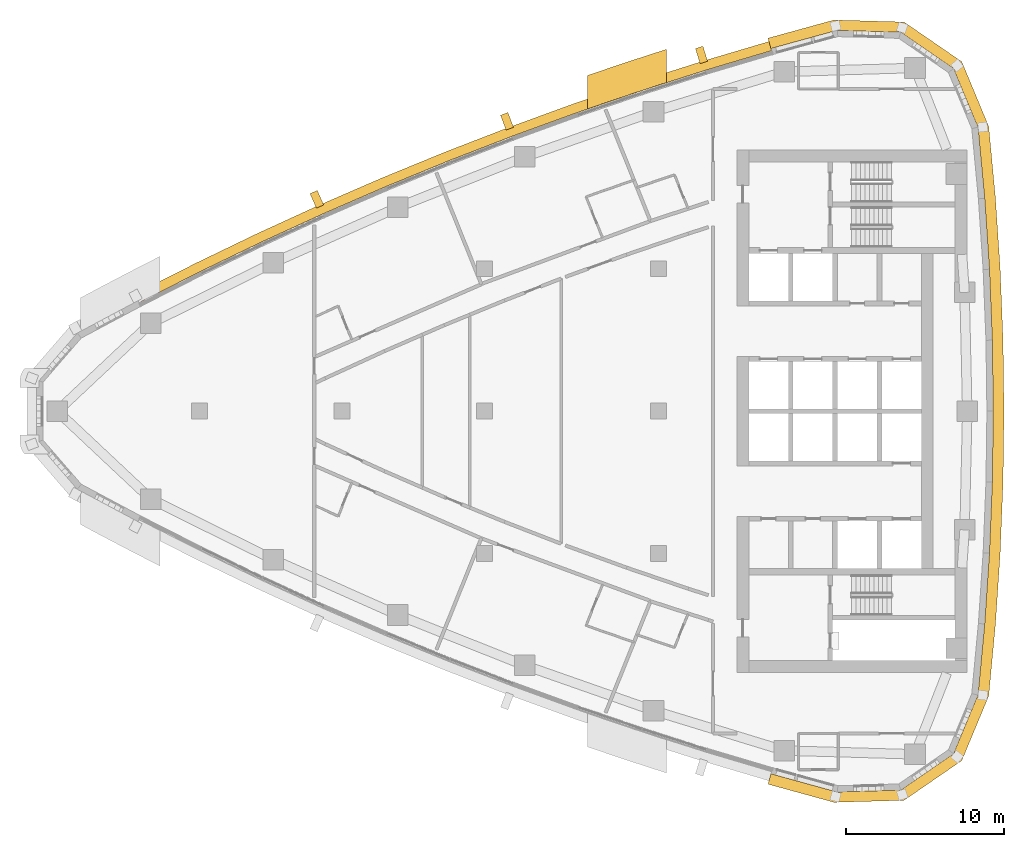
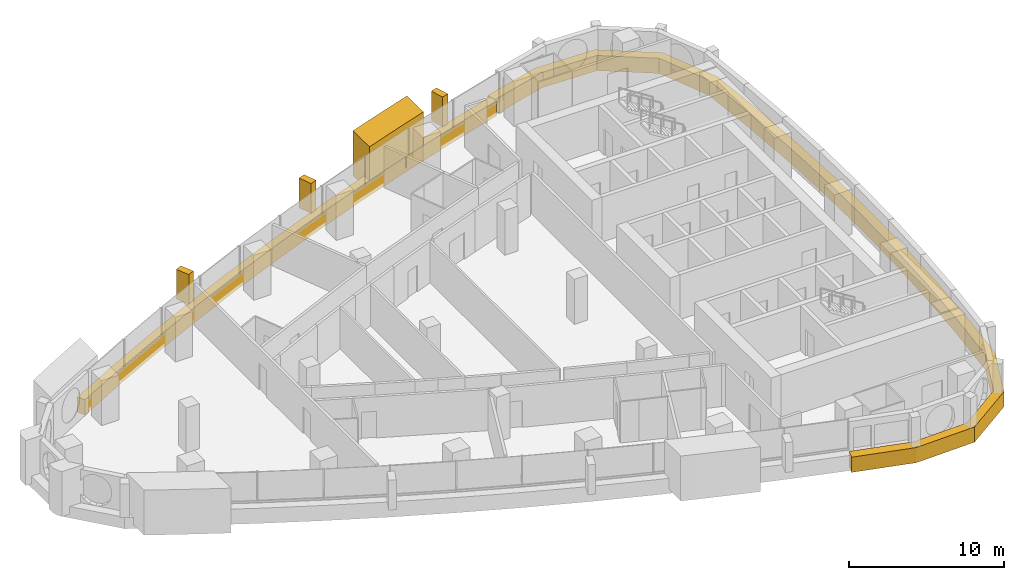
# One storey, part 15 of 16: 6 coverings.
"""IFC4 building model written with IfcOpenShell, lengths in metres."""

import ifcopenshell
import ifcopenshell.guid

model = None  # the IFC model being written
_history = None  # IfcOwnerHistory: only IFC2X3 demands one
_inside = {}  # id of a spatial element -> (the spatial element, [elements in it])
_under = {}  # id of a project, library or spatial element -> (it, [spatial elements below it])
_declared = {}  # id of a project -> (the project, [libraries it declares])
_typed = {}  # id of a type object -> (the type object, [elements of that type])
_made_of = {}  # id of a material, layer set ... -> (it, [elements and type objects made of it])


def new_model(schema):
    """Start an empty IFC model of exactly this schema.

    Asked for "IFC4X3", IfcOpenShell would pick the latest addendum, in which some entities
    have other attributes; the version numbers below select the first issue.
    IFC2X3 requires an IfcOwnerHistory on every rooted entity: one is made here for all.
    """
    global model, _history
    if schema == "IFC4X3":
        model = ifcopenshell.file(schema_version=(4, 3, 0, 0))
    else:
        model = ifcopenshell.file(schema=schema)
    _inside.clear()
    _under.clear()
    _declared.clear()
    _typed.clear()
    _made_of.clear()
    _history = None
    if model.schema == "IFC2X3":
        org = make("IfcOrganization", Name="unknown")
        user = make(
            "IfcPersonAndOrganization",
            ThePerson=make("IfcPerson", FamilyName="unknown"),
            TheOrganization=org,
        )
        app = make(
            "IfcApplication",
            ApplicationDeveloper=org,
            Version="unknown",
            ApplicationFullName="unknown",
            ApplicationIdentifier="unknown",
        )
        _history = make(
            "IfcOwnerHistory",
            OwningUser=user,
            OwningApplication=app,
            ChangeAction="ADDED",
            CreationDate=0,
        )
    return model


def make(cls, **values):
    """One entity of the class cls with the attributes given. An attribute that is None is left unset."""
    return model.create_entity(
        cls, **{name: value for name, value in values.items() if value is not None}
    )


def rooted(cls, **values):
    """An entity with a GlobalId (a new one), such as an element, a storey or a relation."""
    return make(cls, GlobalId=ifcopenshell.guid.new(), OwnerHistory=_history, **values)


def si_unit(unit_type, name, prefix=None):
    """IfcSIUnit, for example si_unit("LENGTHUNIT", "METRE", prefix="MILLI")."""
    return make("IfcSIUnit", UnitType=unit_type, Prefix=prefix, Name=name)


def assignment(units):
    """IfcUnitAssignment: the units of a project."""
    return None if units is None else make("IfcUnitAssignment", Units=units)


def point(xyz):
    """IfcCartesianPoint."""
    return None if xyz is None else make("IfcCartesianPoint", Coordinates=xyz)


def direction(xyz):
    """IfcDirection."""
    return None if xyz is None else make("IfcDirection", DirectionRatios=xyz)


def frame(location, z_axis=None, x_axis=None):
    """IfcAxis2Placement3D, a coordinate frame: its origin and axes. An axis left out is left unset."""
    return make(
        "IfcAxis2Placement3D",
        Location=point(location),
        Axis=direction(z_axis),
        RefDirection=direction(x_axis),
    )


def frame_2d(location, x_axis=None):
    """IfcAxis2Placement2D, a coordinate frame in the plane: its origin and x axis."""
    return make(
        "IfcAxis2Placement2D", Location=point(location), RefDirection=direction(x_axis)
    )


def origin():
    """The frame at (0, 0, 0) with its axes left unset."""
    return frame((0.0, 0.0, 0.0))


def place(relative_to, where):
    """IfcLocalPlacement: puts the frame where relative to a parent placement (None: the world)."""
    return make(
        "IfcLocalPlacement", PlacementRelTo=relative_to, RelativePlacement=where
    )


def context(
    kind, dimensions, precision=None, world=None, true_north=None, identifier=None
):
    """IfcGeometricRepresentationContext, for example the 3D "Model" context."""
    return make(
        "IfcGeometricRepresentationContext",
        ContextIdentifier=identifier,
        ContextType=kind,
        CoordinateSpaceDimension=dimensions,
        Precision=precision,
        WorldCoordinateSystem=world,
        TrueNorth=true_north,
    )


def subcontext(parent, identifier, kind, view, scale=None):
    """IfcGeometricRepresentationSubContext, for example "Body" below "Model"."""
    return make(
        "IfcGeometricRepresentationSubContext",
        ContextIdentifier=identifier,
        ContextType=kind,
        ParentContext=parent,
        TargetScale=scale,
        TargetView=view,
    )


def project(units=None, contexts=None):
    """IfcProject with its units and contexts."""
    return rooted(
        "IfcProject",
        Name="project",
        RepresentationContexts=contexts,
        UnitsInContext=assignment(units),
    )


def spatial(cls, under=None, at=None, **own):
    """A site, building, storey or space (cls), placed at a placement, below another one or the project."""
    s = rooted(cls, ObjectPlacement=at, **own)
    if under is not None:
        _under.setdefault(under.id(), (under, []))[1].append(s)
    return s


def polyline(points):
    """IfcPolyline through the points."""
    return make("IfcPolyline", Points=[point(p) for p in points])


def profile(cls, at=None, kind="AREA", **sizes):
    """A parametric profile (cls). Its sizes go by their IFC names, for example OverallWidth=200.0."""
    return make(cls, ProfileType=kind, Position=at, **sizes)


def rectangle(**sizes):
    """IfcRectangleProfileDef."""
    return profile("IfcRectangleProfileDef", **sizes)


def outline(outer, holes=None, kind="AREA"):
    """IfcArbitraryClosedProfileDef: a profile drawn as a closed curve; with holes, ...WithVoids."""
    if holes is None:
        return make("IfcArbitraryClosedProfileDef", ProfileType=kind, OuterCurve=outer)
    return make(
        "IfcArbitraryProfileDefWithVoids",
        ProfileType=kind,
        OuterCurve=outer,
        InnerCurves=holes,
    )


def extrude(swept, where, along, depth):
    """IfcExtrudedAreaSolid: the profile swept, set in the frame where, extruded along a direction by depth."""
    return make(
        "IfcExtrudedAreaSolid",
        SweptArea=swept,
        Position=where,
        ExtrudedDirection=direction(along),
        Depth=depth,
    )


def shape(context_of_items, identifier, shape_type, items):
    """IfcShapeRepresentation: the items that make up one representation, for example the "Body"."""
    return make(
        "IfcShapeRepresentation",
        ContextOfItems=context_of_items,
        RepresentationIdentifier=identifier,
        RepresentationType=shape_type,
        Items=items,
    )


def material(Name=None, Category=None):
    """IfcMaterial."""
    return make("IfcMaterial", Name=Name, Category=Category)


def layer(
    of_material, thickness, ventilated=None, Name=None, Category=None, Priority=None
):
    """IfcMaterialLayer: one layer of a wall or slab, of a material (None: an air gap)."""
    return make(
        "IfcMaterialLayer",
        Material=of_material,
        LayerThickness=thickness,
        IsVentilated=ventilated,
        Name=Name,
        Category=Category,
        Priority=Priority,
    )


def layer_set(layers, Name=None):
    """IfcMaterialLayerSet."""
    return make("IfcMaterialLayerSet", MaterialLayers=layers, LayerSetName=Name)


def made_of(thing, what):
    """Note that an element or type object is made of a material, layer set ...; save() writes the relation."""
    if what is not None:
        _made_of.setdefault(what.id(), (what, []))[1].append(thing)
    return thing


def type_object(cls, material=None, **own):
    """A type object (cls), such as IfcWallType, which elements share."""
    return made_of(rooted(cls, **own), material)


def element(
    cls,
    number,
    at=None,
    inside=None,
    cuts=None,
    type_object=None,
    material=None,
    context=None,
    identifier="Body",
    shape_type=None,
    held_by="IfcProductDefinitionShape",
    body=None,
    shapes=None,
    **own,
):
    """One element of the class cls, such as IfcWall. Its Tag is "e" and its number.

    at: its placement. inside: the storey or other place that contains it. cuts: it is an
    opening in that element (IfcRelVoidsElement). A single representation is given by context,
    identifier, shape_type and body (its items); several are given by shapes. held_by: the class
    of the entity that holds the representations. save() writes the other relations.
    """
    e = rooted(cls, Tag="e%d" % number, ObjectPlacement=at, **own)
    if body is not None:
        shapes = [shape(context, identifier, shape_type, body)]
    if shapes is not None:
        e.Representation = make(held_by, Representations=shapes)
    if inside is not None:
        _inside.setdefault(inside.id(), (inside, []))[1].append(e)
    if cuts is not None:
        rooted(
            "IfcRelVoidsElement", RelatingBuildingElement=cuts, RelatedOpeningElement=e
        )
    if type_object is not None:
        _typed.setdefault(type_object.id(), (type_object, []))[1].append(e)
    return made_of(e, material)


def aggregate(whole, parts):
    """IfcRelAggregates: a whole, such as a stair, and the parts it consists of."""
    return rooted("IfcRelAggregates", RelatingObject=whole, RelatedObjects=parts)


def save(model, path):
    """Write the relations noted so far, then the file.

    IfcRelAggregates (storeys below a building ...), IfcRelContainedInSpatialStructure (elements
    in a storey), IfcRelDefinesByType, IfcRelAssociatesMaterial and IfcRelDeclares: one each for
    every whole, place, type object, material and project.
    """
    for whole, parts in _under.values():
        aggregate(whole, parts)
    for where, things in _inside.values():
        rooted(
            "IfcRelContainedInSpatialStructure",
            RelatedElements=things,
            RelatingStructure=where,
        )
    for kind, things in _typed.values():
        rooted("IfcRelDefinesByType", RelatedObjects=things, RelatingType=kind)
    for what, things in _made_of.values():
        rooted("IfcRelAssociatesMaterial", RelatedObjects=things, RelatingMaterial=what)
    for by, libraries in _declared.values():
        rooted("IfcRelDeclares", RelatingContext=by, RelatedDefinitions=libraries)
    model.write(path)


model = new_model("IFC4")

# Units and contexts
model_context = context("Model", 3, precision=1e-05, world=origin(), true_north=direction((0.0, 1.0)))
body_context = subcontext(model_context, "Body", "Model", "MODEL_VIEW")
ifc_project = project(units=[si_unit("LENGTHUNIT", "METRE"), si_unit("AREAUNIT", "SQUARE_METRE"), si_unit("VOLUMEUNIT", "CUBIC_METRE"), si_unit("PLANEANGLEUNIT", "RADIAN"), si_unit("MASSUNIT", "GRAM", prefix="KILO")], contexts=[model_context])

# Site, building, storey
site_placement = place(None, origin())
site = spatial("IfcSite", under=ifc_project, at=site_placement, CompositionType="ELEMENT")
building_placement = place(site_placement, origin())
building = spatial("IfcBuilding", under=site, at=building_placement, Name="Ostrand Prow Hotel Tower", CompositionType="ELEMENT")
storey_placement = place(building_placement, frame((0.0, 0.0, 186.14990234375)))
storey = spatial("IfcBuildingStorey", under=building, at=storey_placement, Name="L46", CompositionType="ELEMENT", Elevation=186.14990234375)

# Coverings
ifc_material_1 = material(Name="Bronze anodised aluminium cladding", Category="aluminium")
ifc_layer_1 = layer(ifc_material_1, 0.60009765625)
ifc_layer_set_1 = layer_set([ifc_layer_1], Name="Bronze anodised aluminium cladding")
covering_type_1 = type_object("IfcCoveringType", Name="Bronze spandrel band 1200x600", PredefinedType="CLADDING", material=ifc_layer_set_1)
covering_1_placement = place(storey_placement, frame((0.0, 0.0, -0.2998046875)))
element("IfcCovering", 1, at=covering_1_placement, inside=storey, type_object=covering_type_1, Name="Spandrel band N1", PredefinedType="CLADDING", context=body_context, shape_type="SweptSolid", body=[
    extrude(outline(polyline([(51.9736328125, 23.35009765625), (47.831787109375, 22.12060546875), (43.7158203125, 20.80810546875), (39.626708984375, 19.4130859375), (35.566650390625, 17.93603515625), (31.537353515625, 16.37744140625), (27.5400390625, 14.738037109375), (23.57666015625, 13.0185546875), (19.648681640625, 11.219482421875), (15.757568359375, 9.341796875), (11.9052734375, 7.38623046875), (12.18212890625, 6.85400390625), (16.023681640625, 8.80419921875), (19.90380859375, 10.676513671875), (23.821044921875, 12.470458984375), (27.773193359375, 14.185302734375), (31.759521484375, 15.820068359375), (35.777587890625, 17.374267578125), (39.826171875, 18.84716796875), (43.90380859375, 20.23828125), (48.00830078125, 21.547119140625), (52.138427734375, 22.773193359375), (51.9736328125, 23.35009765625)])), origin(), (0.0, 0.0, 1.0), 1.199951171875),
])
covering_2_placement = place(storey_placement, frame((0.0, 0.0, -0.2998046875)))
element("IfcCovering", 2, at=covering_2_placement, inside=storey, type_object=covering_type_1, Name="Spandrel band back 1", PredefinedType="CLADDING", context=body_context, shape_type="SweptSolid", body=[
    extrude(outline(polyline([(51.9130859375, -23.561767578125), (56.0830078125, -24.708740234375), (60.5087890625, -24.581787109375), (64.15625, -22.072021484375), (65.856201171875, -17.98388671875), (66.27783203125, -13.499267578125), (66.5791015625, -9.0048828125), (66.760009765625, -4.50390625), (66.8203125, 0.0), (66.760009765625, 4.50390625), (66.5791015625, 9.0048828125), (66.27783203125, 13.499267578125), (65.856201171875, 17.98388671875), (64.15625, 22.072021484375), (60.5087890625, 24.581787109375), (56.0830078125, 24.708740234375), (51.9130859375, 23.561767578125), (52.10009765625, 22.907958984375), (56.256591796875, 24.05126953125), (60.297607421875, 23.935302734375), (63.6279296875, 21.643798828125), (65.18017578125, 17.9111328125), (65.60009765625, 13.444580078125), (65.900146484375, 8.968505859375), (66.080078125, 4.48583984375), (66.140380859375, 0.0), (66.080078125, -4.48583984375), (65.900146484375, -8.968505859375), (65.60009765625, -13.444580078125), (65.18017578125, -17.9111328125), (63.6279296875, -21.643798828125), (60.297607421875, -23.935302734375), (56.256591796875, -24.05126953125), (52.10009765625, -22.907958984375), (51.9130859375, -23.561767578125)])), origin(), (0.0, 0.0, 1.0), 1.199951171875),
])
ifc_material_2 = material(Name="Limestone cladding", Category="masonry")
ifc_layer_2 = layer(ifc_material_2, 5.0)
ifc_layer_set_2 = layer_set([ifc_layer_2], Name="Limestone cladding")
covering_type_2 = type_object("IfcCoveringType", Name="Portal jamb pilaster limestone", PredefinedType="CLADDING", material=ifc_layer_set_2)
covering_3_placement = place(storey_placement, origin())
element("IfcCovering", 3, at=covering_3_placement, inside=storey, type_object=covering_type_2, Name="Portal jamb NB L46", PredefinedType="CLADDING", context=body_context, shape_type="SweptSolid", body=[
    extrude(outline(polyline([(40.5, 19.08349609375), (41.5, 19.429443359375), (42.5, 19.769775390625), (43.5, 20.104736328125), (44.5, 20.43408203125), (45.5, 20.75830078125), (45.5, 22.85791015625), (44.5, 22.537109375), (43.5, 22.211181640625), (42.5, 21.879638671875), (41.5, 21.542724609375), (40.5, 21.200439453125), (40.5, 19.08349609375)])), origin(), (0.0, 0.0, 1.0), 3.550048828125),
])
ifc_material_3 = material(Name="Limestone cladding", Category="masonry")
ifc_layer_3 = layer(ifc_material_3, 0.5)
ifc_layer_set_3 = layer_set([ifc_layer_3], Name="Limestone cladding")
covering_type_3 = type_object("IfcCoveringType", Name="Precast stone fin 500x900", PredefinedType="CLADDING", material=ifc_layer_set_3)
covering_4_placement = place(storey_placement, frame((47.861083984375, 22.025146484375, 0.900146484375), z_axis=(0.0, 0.0, 1.0), x_axis=(-0.294017207984, 0.955800126287, 0.0)))
element("IfcCovering", 4, at=covering_4_placement, inside=storey, type_object=covering_type_3, Name="Stone fin N 2", PredefinedType="CLADDING", context=body_context, shape_type="SweptSolid", body=[
    extrude(rectangle(XDim=0.999755859375, YDim=0.5, at=frame_2d((0.5, 0.0))), origin(), (0.0, 0.0, 1.0), 2.349853515625),
])
for number, where, z_axis, x_axis, name in (
    (5, (35.601806640625, 17.84228515625, 0.900146484375), (0.0, 0.0, 1.0), (-0.351310716449, 0.936258928133, 0.0), "Stone fin N 5"),
    (6, (23.6171875, 12.92724609375, 0.900146484375), (0.0, 0.0, 1.0), (-0.407021798392, 0.913418444982, 0.0), "Stone fin N 8"),
):
    element("IfcCovering", number, at=place(storey_placement, frame(where, z_axis=z_axis, x_axis=x_axis)), inside=storey, type_object=covering_type_3, Name=name, PredefinedType="CLADDING", context=body_context, shape_type="SweptSolid", body=[
        extrude(rectangle(XDim=1.0, YDim=0.5, at=frame_2d((0.5, 0.0))), origin(), (0.0, 0.0, 1.0), 2.349853515625),
    ])

save(model, "model.ifc")
